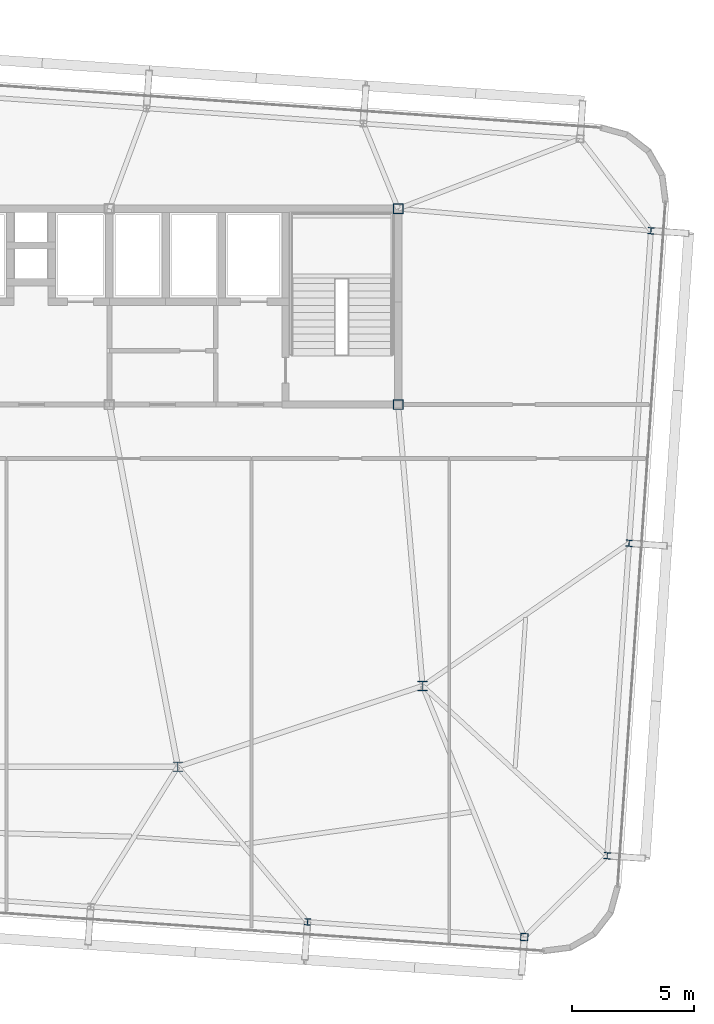
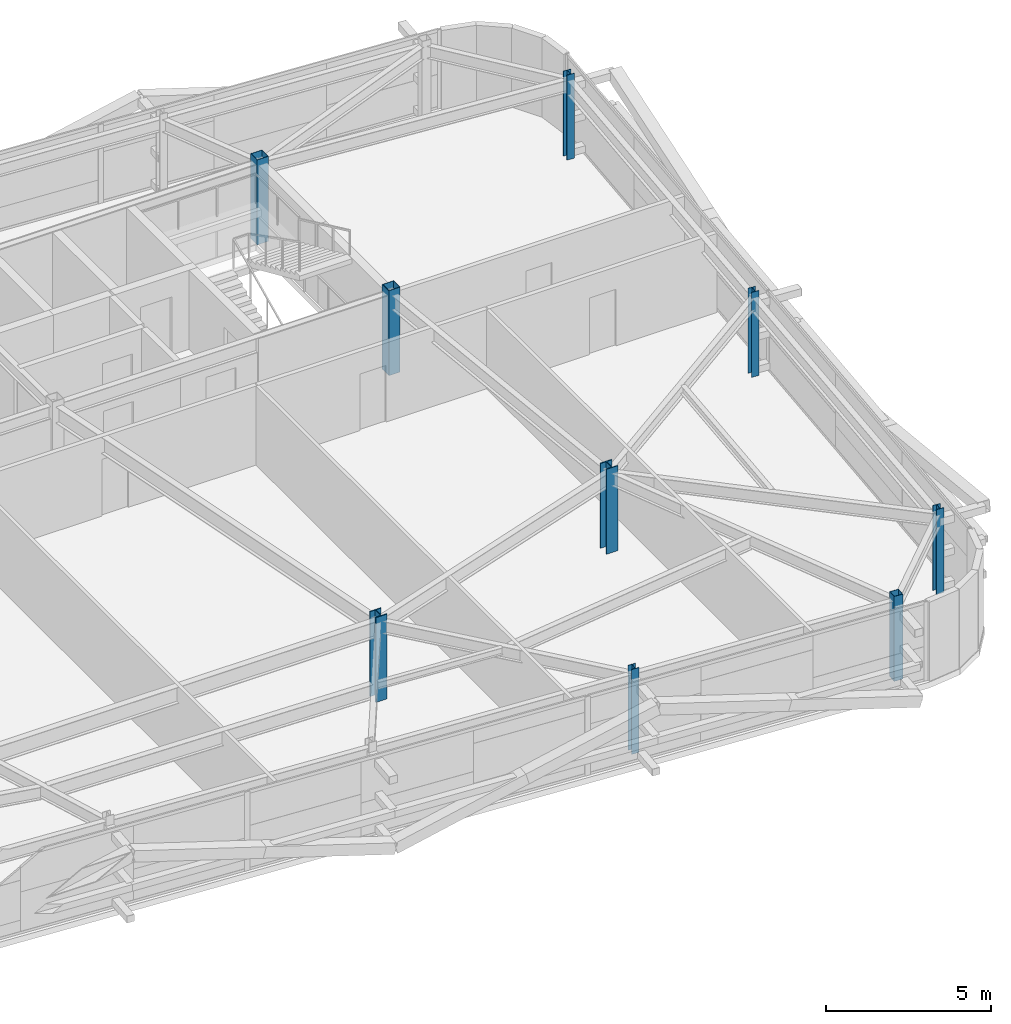
# One storey, part 3 of 39: 9 columns.
"""IFC4 building model written with IfcOpenShell, lengths in metres."""

from ifc_helpers import new_model, si_unit, direction, frame, origin, origin_2d, place, context, subcontext, project, spatial, hollow_rectangle, i_section, extrude, source, transform, mapped, material, material_profile, profile_set, type_object, element, save


model = new_model("IFC4")

# Units and contexts
model_context = context("Model", 3, precision=1e-05, world=origin(), true_north=direction((0.0, 1.0)))
body_context = subcontext(model_context, "Body", "Model", "MODEL_VIEW")
ifc_project = project(units=[si_unit("LENGTHUNIT", "METRE"), si_unit("AREAUNIT", "SQUARE_METRE"), si_unit("VOLUMEUNIT", "CUBIC_METRE"), si_unit("PLANEANGLEUNIT", "RADIAN"), si_unit("MASSUNIT", "GRAM", prefix="KILO")], contexts=[model_context])

# Site, building, storey
site_placement = place(None, origin())
site = spatial("IfcSite", under=ifc_project, at=site_placement, CompositionType="ELEMENT")
building_placement = place(site_placement, origin())
building = spatial("IfcBuilding", under=site, at=building_placement, Name="Taldren Reach Tower", CompositionType="ELEMENT")
storey_placement = place(building_placement, frame((0.0, 0.0, 148.75)))
storey = spatial("IfcBuildingStorey", under=building, at=storey_placement, Name="L45", CompositionType="ELEMENT", Elevation=148.75)

# Columns
ifc_material_1 = material(Name="Steel Gr 350 (350PLUS)", Category="steel")
ifc_material_profile_1 = material_profile(ifc_material_1, i_section(OverallWidth=0.39990234375, OverallDepth=0.39599609375, WebThickness=0.02197265625, FlangeThickness=0.033935546875, at=origin_2d()), Name="400WC270")
ifc_profile_set_1 = profile_set([ifc_material_profile_1], Name="Steel Gr 350 (350PLUS)")
column_type_1 = type_object("IfcColumnType", Name="COL-WC400", PredefinedType="COLUMN", material=ifc_profile_set_1)
shared_shape_1 = source(origin(), body_context, "Body", "SweptSolid", [
    extrude(i_section(OverallWidth=0.39990234375, OverallDepth=0.39599609375, WebThickness=0.02197265625, FlangeThickness=0.033935546875, at=origin_2d()), origin(), (0.0, 0.0, 1.0), 3.14990234375),
])
for number, where, z_axis, x_axis, name in (
    (1, (42.0, 9.199951171875, 0.0), (0.0, 0.0, 1.0), (1.0, 0.0, 0.0), "Mega column MC-PJE L45"),
    (2, (52.0, 12.5, 0.0), (0.0, 0.0, 1.0), (1.0, 0.0, 0.0), "Mega column MC-SE L45"),
):
    element("IfcColumn", number, at=place(storey_placement, frame(where, z_axis=z_axis, x_axis=x_axis)), inside=storey, type_object=column_type_1, Name=name, PredefinedType="COLUMN", context=body_context, shape_type="MappedRepresentation", body=[
        mapped(shared_shape_1, transform((0.0, 0.0, 0.0), scale=1.0)),
    ])
ifc_material_2 = material(Name="Steel Gr 450 (C450L0)", Category="steel")
ifc_material_profile_2 = material_profile(ifc_material_2, hollow_rectangle(XDim=0.39990234375, YDim=0.39990234375, WallThickness=0.01611328125, at=origin_2d()), Name="400x400x16.0SHS")
ifc_profile_set_2 = profile_set([ifc_material_profile_2], Name="Steel Gr 450 (C450L0)")
column_type_2 = type_object("IfcColumnType", Name="COL-SHS400", PredefinedType="COLUMN", material=ifc_profile_set_2)
shared_shape_2 = source(origin(), body_context, "Body", "SweptSolid", [
    extrude(hollow_rectangle(XDim=0.39990234375, YDim=0.39990234375, WallThickness=0.01611328125, at=origin_2d()), origin(), (0.0, 0.0, 1.0), 3.14990234375),
])
for number, where, z_axis, x_axis, name in (
    (3, (51.0, 24.0, 0.0), (0.0, 0.0, 1.0), (1.0, 0.0, 0.0), "Mega column MC-C4 L45"),
    (4, (51.0, 32.0, 0.0), (0.0, 0.0, 1.0), (1.0, 0.0, 0.0), "Mega column MC-C8 L45"),
):
    element("IfcColumn", number, at=place(storey_placement, frame(where, z_axis=z_axis, x_axis=x_axis)), inside=storey, type_object=column_type_2, Name=name, PredefinedType="COLUMN", context=body_context, shape_type="MappedRepresentation", body=[
        mapped(shared_shape_2, transform((0.0, 0.0, 0.0), scale=1.0)),
    ])
ifc_material_profile_3 = material_profile(ifc_material_2, hollow_rectangle(XDim=0.300048828125, YDim=0.300048828125, WallThickness=0.012451171875, at=origin_2d()), Name="300x300x12.5SHS")
ifc_profile_set_3 = profile_set([ifc_material_profile_3], Name="Steel Gr 450 (C450L0)")
column_type_3 = type_object("IfcColumnType", Name="COL-SHS300", PredefinedType="COLUMN", material=ifc_profile_set_3)
shared_shape_3 = source(origin(), body_context, "Body", "SweptSolid", [
    extrude(hollow_rectangle(XDim=0.300048828125, YDim=0.300048828125, WallThickness=0.012451171875, at=origin_2d()), origin(), (0.0, 0.0, 1.0), 3.14990234375),
])
column_placement = place(storey_placement, frame((56.155517578125, 2.2412109375, 0.0), z_axis=(0.0, 0.0, 1.0), x_axis=(0.99756405026, -0.069756473744, 0.0)))
element("IfcColumn", 5, at=column_placement, inside=storey, type_object=column_type_3, Name="Block B3 perimeter column S6 L45", PredefinedType="COLUMN", context=body_context, shape_type="MappedRepresentation", body=[
    mapped(shared_shape_3, transform((0.0, 0.0, 0.0), scale=1.0)),
])
ifc_material_profile_4 = material_profile(ifc_material_1, i_section(OverallWidth=0.256103515625, OverallDepth=0.260009765625, WebThickness=0.010498046875, FlangeThickness=0.017333984375, at=origin_2d()), Name="250UC89.5")
ifc_profile_set_4 = profile_set([ifc_material_profile_4], Name="Steel Gr 350 (350PLUS)")
column_type_4 = type_object("IfcColumnType", Name="COL-UC250", PredefinedType="COLUMN", material=ifc_profile_set_4)
shared_shape_4 = source(origin(), body_context, "Body", "SweptSolid", [
    extrude(i_section(OverallWidth=0.256103515625, OverallDepth=0.260009765625, WebThickness=0.010498046875, FlangeThickness=0.017333984375, at=origin_2d()), origin(), (0.0, 0.0, 1.0), 3.14990234375),
])
for number, where, z_axis, x_axis, name in (
    (6, (47.297119140625, 2.860595703125, 0.0), (0.0, 0.0, 1.0), (0.99756405026, -0.069756473744, 0.0), "Block B3 perimeter column S5 L45"),
    (7, (59.54541015625, 5.562744140625, 0.0), (0.0, 0.0, 1.0), (0.99756405026, -0.069756473744, 0.0), "Block B3 perimeter column E1 L45"),
    (8, (60.438232421875, 18.331787109375, 0.0), (0.0, 0.0, 1.0), (0.99756405026, -0.069756473744, 0.0), "Block B3 perimeter column E2 L45"),
    (9, (61.3310546875, 31.1005859375, 0.0), (0.0, 0.0, 1.0), (0.99756405026, -0.069756473744, 0.0), "Block B3 perimeter column E3 L45"),
):
    element("IfcColumn", number, at=place(storey_placement, frame(where, z_axis=z_axis, x_axis=x_axis)), inside=storey, type_object=column_type_4, Name=name, PredefinedType="COLUMN", context=body_context, shape_type="MappedRepresentation", body=[
        mapped(shared_shape_4, transform((0.0, 0.0, 0.0), scale=1.0)),
    ])

save(model, "model.ifc")
